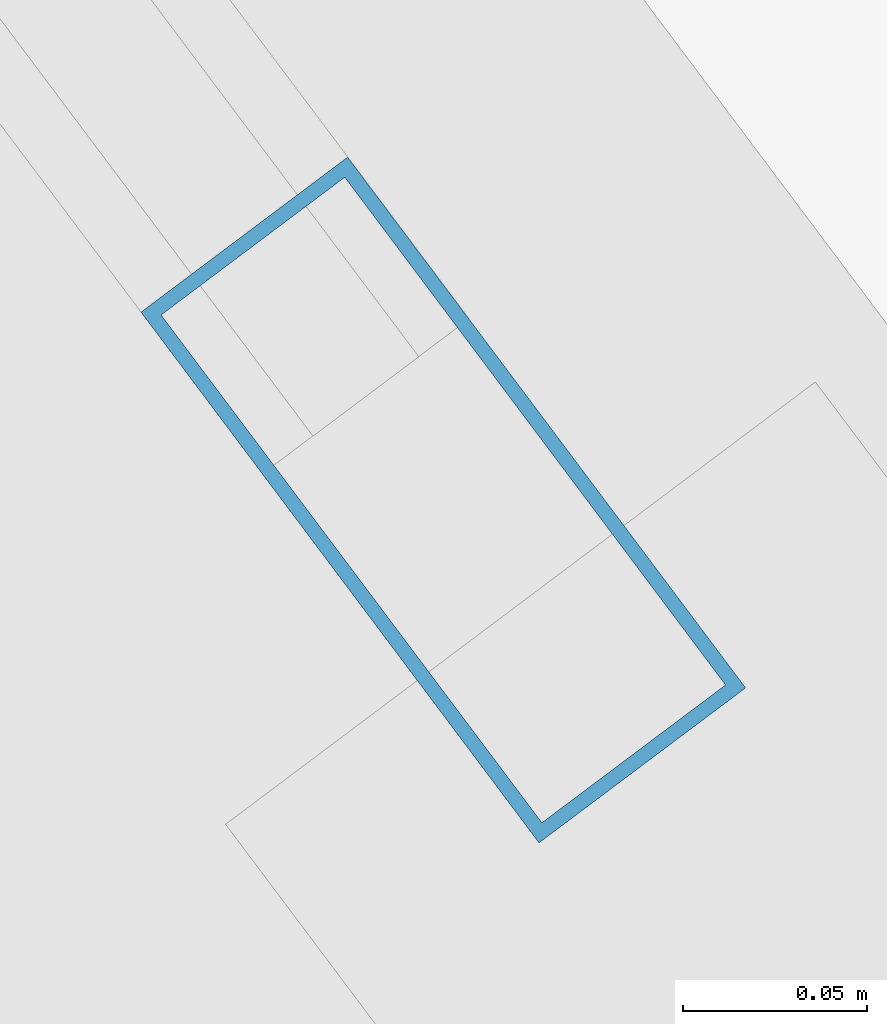
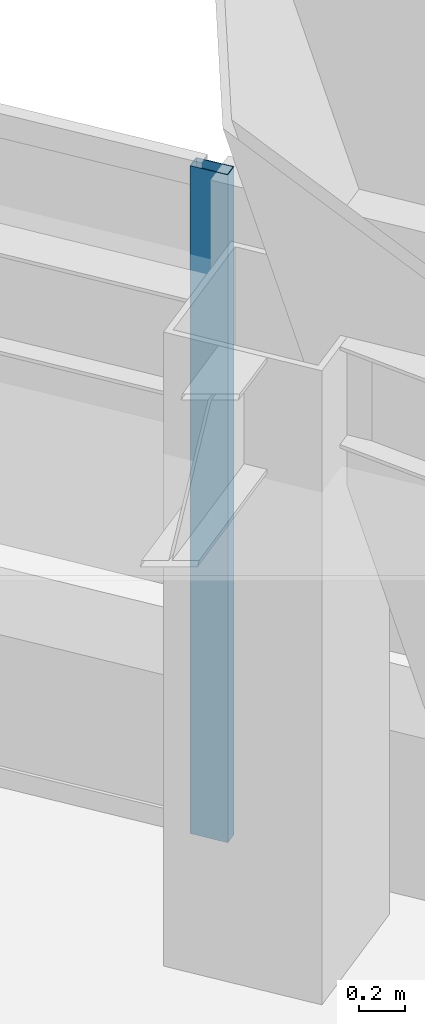
# One storey, part 38 of 55: 1 member, 1 element without a shape of its own.
"""IFC4 building model written with IfcOpenShell, lengths in metres."""

from ifc_helpers import new_model, si_unit, direction, frame, origin, origin_2d, place, context, subcontext, project, spatial, hollow_rectangle, extrude, material, material_profile, profile_set, type_object, element, aggregate, save


model = new_model("IFC4")

# Units and contexts
model_context = context("Model", 3, precision=1e-05, world=origin(), true_north=direction((0.0, 1.0)))
body_context = subcontext(model_context, "Body", "Model", "MODEL_VIEW")
ifc_project = project(units=[si_unit("LENGTHUNIT", "METRE"), si_unit("AREAUNIT", "SQUARE_METRE"), si_unit("VOLUMEUNIT", "CUBIC_METRE"), si_unit("PLANEANGLEUNIT", "RADIAN"), si_unit("MASSUNIT", "GRAM", prefix="KILO")], contexts=[model_context])

# Site, building, storey
site_placement = place(None, origin())
site = spatial("IfcSite", under=ifc_project, at=site_placement, CompositionType="ELEMENT")
building_placement = place(site_placement, origin())
building = spatial("IfcBuilding", under=site, at=building_placement, Name="Tashvorn Skyway Center", CompositionType="ELEMENT")
storey_placement = place(building_placement, frame((0.0, 0.0, 178.300048828125)))
storey = spatial("IfcBuildingStorey", under=building, at=storey_placement, Name="L48", CompositionType="ELEMENT", Elevation=178.300048828125)

# Curtain wall, member
ifc_material = material(Name="Thermally broken bronze-anodized aluminium 6063-T6", Category="aluminium")
curtain_wall_type = type_object("IfcCurtainWallType", Name="CW-CW-Z4", PredefinedType="NOTDEFINED", material=ifc_material)
curtain_wall_placement = place(storey_placement, origin())
curtain_wall = element("IfcCurtainWall", 1, at=curtain_wall_placement, inside=storey, type_object=curtain_wall_type, Name="Tower 2 L48 East Unitised Curtain Wall Glazing Group 2", PredefinedType="NOTDEFINED")
ifc_material_profile = material_profile(ifc_material, hollow_rectangle(XDim=0.070068359375, YDim=0.179931640625, WallThickness=0.00390625, at=origin_2d()), Name="ALU-MULL-70x180")
ifc_profile_set = profile_set([ifc_material_profile], Name="Thermally broken bronze-anodized aluminium 6063-T6")
member_type = type_object("IfcMemberType", Name="CWM-CW-Z4", PredefinedType="MULLION", material=ifc_profile_set)
member_placement = place(storey_placement, frame((130.319091796875, 38.2080078125, 0.0), z_axis=(0.0, 0.0, 1.0), x_axis=(0.799999999998, 0.600000000002, 0.0)))
member = element("IfcMember", 2, at=member_placement, type_object=member_type, Name="CW-Z4 mullion 2", PredefinedType="MULLION", context=body_context, shape_type="SweptSolid", body=[
    extrude(hollow_rectangle(XDim=0.070068359375, YDim=0.179931640625, WallThickness=0.00390625, at=origin_2d()), origin(), (0.0, 0.0, 1.0), 3.550048828125),
])
aggregate(curtain_wall, [member])

save(model, "model.ifc")
